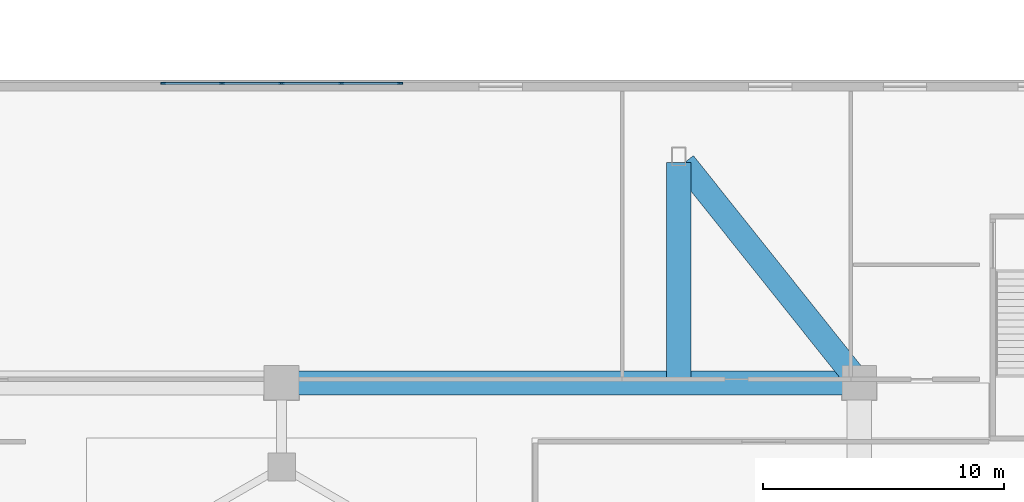
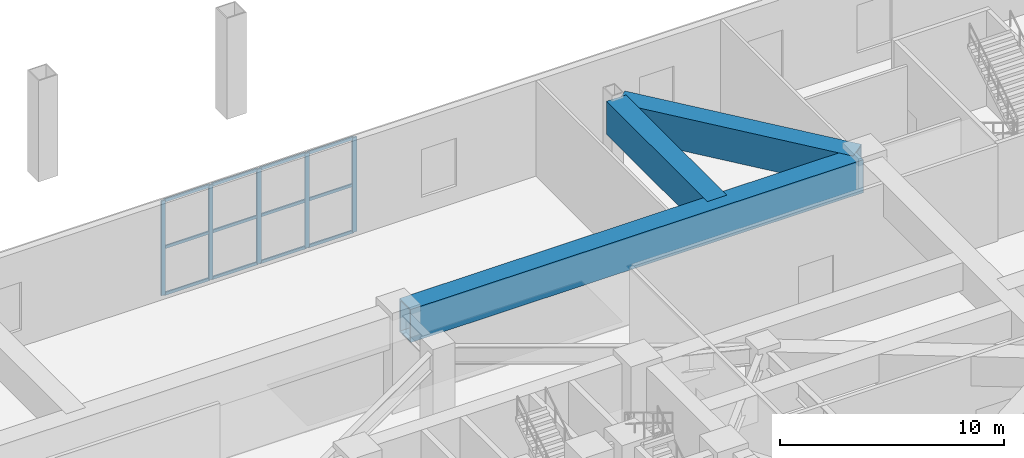
# One storey, part 7 of 23: 17 members, 3 beams, 1 element without a shape of its own.
"""IFC4 building model written with IfcOpenShell, lengths in metres."""

from ifc_helpers import new_model, si_unit, direction, frame, origin, origin_2d, place, context, subcontext, project, spatial, rectangle, hollow_rectangle, extrude, material, layer, layer_set, material_profile, profile_set, type_object, element, aggregate, save


model = new_model("IFC4")

# Units and contexts
model_context = context("Model", 3, precision=1e-05, world=origin(), true_north=direction((0.0, 1.0)))
body_context = subcontext(model_context, "Body", "Model", "MODEL_VIEW")
ifc_project = project(units=[si_unit("LENGTHUNIT", "METRE"), si_unit("AREAUNIT", "SQUARE_METRE"), si_unit("VOLUMEUNIT", "CUBIC_METRE"), si_unit("PLANEANGLEUNIT", "RADIAN"), si_unit("MASSUNIT", "GRAM", prefix="KILO")], contexts=[model_context])

# Site, building, storey
site_placement = place(None, origin())
site = spatial("IfcSite", under=ifc_project, at=site_placement, CompositionType="ELEMENT")
building_placement = place(site_placement, origin())
building = spatial("IfcBuilding", under=site, at=building_placement, Name="Apsidion Concourse Tower", CompositionType="ELEMENT")
storey_placement = place(building_placement, frame((0.0, 0.0, 6.0)))
storey = spatial("IfcBuildingStorey", under=building, at=storey_placement, Name="L01", CompositionType="ELEMENT", Elevation=6.0)

# Beams
ifc_material_1 = material(Name="Structural steel ASTM A572 Grade 50", Category="steel")
ifc_material_profile_1 = material_profile(ifc_material_1, hollow_rectangle(XDim=1.0, YDim=1.800048828125, WallThickness=0.080078125, at=origin_2d()), Name="BOX1800X1000X80")
ifc_profile_set_1 = profile_set([ifc_material_profile_1], Name="Structural steel ASTM A572 Grade 50")
beam_type = type_object("IfcBeamType", Name="BM-TR-1800", PredefinedType="USERDEFINED", material=ifc_profile_set_1)
beam_1_placement = place(storey_placement, frame((0.35009765625, 18.0, 4.300048828125), z_axis=(1.0, 0.0, 0.0), x_axis=(0.0, 1.0, 0.0)))
element("IfcBeam", 1, at=beam_1_placement, inside=storey, type_object=beam_type, Name="L01 Podium Transfer Collector Girder MC8-MC6", ObjectType="GIRDER", PredefinedType="USERDEFINED", context=body_context, shape_type="SweptSolid", body=[
    extrude(hollow_rectangle(XDim=1.0, YDim=1.800048828125, WallThickness=0.080078125, at=origin_2d()), origin(), (0.0, 0.0, 1.0), 23.2998046875),
])
beam_2_placement = place(storey_placement, frame((16.5, 27.14990234375, 4.300048828125), z_axis=(0.0, -1.0, 0.0), x_axis=(1.0, 0.0, 0.0)))
element("IfcBeam", 2, at=beam_2_placement, inside=storey, type_object=beam_type, Name="L01 Podium Radial Frame Girder PC12", ObjectType="GIRDER", PredefinedType="USERDEFINED", context=body_context, shape_type="SweptSolid", body=[
    extrude(hollow_rectangle(XDim=1.0, YDim=1.800048828125, WallThickness=0.080078125, at=origin_2d()), origin(), (0.0, 0.0, 1.0), 9.0),
])
beam_3_placement = place(storey_placement, frame((16.71826171875, 27.12646484375, 4.300048828125), z_axis=(0.623685030382, -0.781675753031, 0.0), x_axis=(0.781675753031, 0.623685030382, 0.0)))
element("IfcBeam", 3, at=beam_3_placement, inside=storey, type_object=beam_type, Name="L01 Podium Diagonal Frame Tie PC12", ObjectType="GIRDER", PredefinedType="USERDEFINED", context=body_context, shape_type="SweptSolid", body=[
    extrude(hollow_rectangle(XDim=1.0, YDim=1.800048828125, WallThickness=0.080078125, at=origin_2d()), origin(), (0.0, 0.0, 1.0), 11.325439453125),
])

# Curtain wall, members
ifc_material_2 = material(Name="Insulated laminated low-E glass", Category="glass")
ifc_layer = layer(ifc_material_2, 0.18994140625)
ifc_layer_set = layer_set([ifc_layer], Name="Insulated laminated low-E glass")
curtain_wall_type = type_object("IfcCurtainWallType", Name="CW-SYS-01", PredefinedType="NOTDEFINED", material=ifc_layer_set)
curtain_wall_placement = place(storey_placement, origin())
curtain_wall = element("IfcCurtainWall", 4, at=curtain_wall_placement, inside=storey, type_object=curtain_wall_type, Name="L01 Podium Glazed Curtain Wall N", PredefinedType="NOTDEFINED")
ifc_material_3 = material(Name="Anodised aluminium EN AW-6063 T6", Category="aluminium")
ifc_material_profile_2 = material_profile(ifc_material_3, rectangle(XDim=0.074951171875, YDim=0.219970703125, at=origin_2d()), Name="ALU MULLION 75x220")
ifc_profile_set_2 = profile_set([ifc_material_profile_2], Name="Anodised aluminium EN AW-6063 T6")
member_type_1 = type_object("IfcMemberType", Name="CWM-75X220", PredefinedType="MULLION", material=ifc_profile_set_2)
member_1_placement = place(storey_placement, frame((-4.91845703125, 30.43994140625, 0.0), z_axis=(0.0, 0.0, 1.0), x_axis=(0.0, 1.0, 0.0)))
member_1 = element("IfcMember", 5, at=member_1_placement, type_object=member_type_1, Name="CW-01 mullion 1", PredefinedType="MULLION", context=body_context, shape_type="SweptSolid", body=[
    extrude(rectangle(XDim=0.074951171875, YDim=0.219970703125, at=origin_2d()), origin(), (0.0, 0.0, 1.0), 5.14990234375),
])
member_2_placement = place(storey_placement, frame((-2.47802734375, 30.43994140625, 0.0), z_axis=(0.0, 0.0, 1.0), x_axis=(0.0, 1.0, 0.0)))
member_2 = element("IfcMember", 6, at=member_2_placement, type_object=member_type_1, Name="CW-01 mullion 2", PredefinedType="MULLION", context=body_context, shape_type="SweptSolid", body=[
    extrude(rectangle(XDim=0.074951171875, YDim=0.219970703125, at=origin_2d()), origin(), (0.0, 0.0, 1.0), 5.14990234375),
])
member_3_placement = place(storey_placement, frame((0.0, 30.43994140625, 0.0), z_axis=(0.0, 0.0, 1.0), x_axis=(0.0, 1.0, 0.0)))
member_3 = element("IfcMember", 7, at=member_3_placement, type_object=member_type_1, Name="CW-01 mullion 3", PredefinedType="MULLION", context=body_context, shape_type="SweptSolid", body=[
    extrude(rectangle(XDim=0.074951171875, YDim=0.219970703125, at=origin_2d()), origin(), (0.0, 0.0, 1.0), 5.14990234375),
])
member_4_placement = place(storey_placement, frame((2.47802734375, 30.43994140625, 0.0), z_axis=(0.0, 0.0, 1.0), x_axis=(0.0, 1.0, 0.0)))
member_4 = element("IfcMember", 8, at=member_4_placement, type_object=member_type_1, Name="CW-01 mullion 4", PredefinedType="MULLION", context=body_context, shape_type="SweptSolid", body=[
    extrude(rectangle(XDim=0.074951171875, YDim=0.219970703125, at=origin_2d()), origin(), (0.0, 0.0, 1.0), 5.14990234375),
])
member_5_placement = place(storey_placement, frame((4.91845703125, 30.43994140625, 0.0), z_axis=(0.0, 0.0, 1.0), x_axis=(0.0, 1.0, 0.0)))
member_5 = element("IfcMember", 9, at=member_5_placement, type_object=member_type_1, Name="CW-01 mullion 5", PredefinedType="MULLION", context=body_context, shape_type="SweptSolid", body=[
    extrude(rectangle(XDim=0.074951171875, YDim=0.219970703125, at=origin_2d()), origin(), (0.0, 0.0, 1.0), 5.14990234375),
])
ifc_material_profile_3 = material_profile(ifc_material_3, rectangle(XDim=0.074951171875, YDim=0.159912109375, at=origin_2d()), Name="ALU TRANSOM 75x160")
ifc_profile_set_3 = profile_set([ifc_material_profile_3], Name="Anodised aluminium EN AW-6063 T6")
member_type_2 = type_object("IfcMemberType", Name="CWT-75X160", PredefinedType="USERDEFINED", material=ifc_profile_set_3)
member_6_placement = place(storey_placement, frame((-4.881103515625, 30.43994140625, 0.03759765625), z_axis=(1.0, 0.0, 0.0), x_axis=(0.0, 1.0, 0.0)))
member_6 = element("IfcMember", 10, at=member_6_placement, type_object=member_type_2, Name="CW-01 transom 1.1", ObjectType="TRANSOM", PredefinedType="USERDEFINED", context=body_context, shape_type="SweptSolid", body=[
    extrude(rectangle(XDim=0.074951171875, YDim=0.159912109375, at=origin_2d()), origin(), (0.0, 0.0, 1.0), 2.36572265625),
])
member_7_placement = place(storey_placement, frame((-4.881103515625, 30.43994140625, 2.574951171875), z_axis=(1.0, 0.0, 0.0), x_axis=(0.0, 1.0, 0.0)))
member_7 = element("IfcMember", 11, at=member_7_placement, type_object=member_type_2, Name="CW-01 transom 1.2", ObjectType="TRANSOM", PredefinedType="USERDEFINED", context=body_context, shape_type="SweptSolid", body=[
    extrude(rectangle(XDim=0.074951171875, YDim=0.159912109375, at=origin_2d()), origin(), (0.0, 0.0, 1.0), 2.36572265625),
])
member_8_placement = place(storey_placement, frame((-4.881103515625, 30.43994140625, 5.112548828125), z_axis=(1.0, 0.0, 0.0), x_axis=(0.0, 1.0, 0.0)))
member_8 = element("IfcMember", 12, at=member_8_placement, type_object=member_type_2, Name="CW-01 transom 1.3", ObjectType="TRANSOM", PredefinedType="USERDEFINED", context=body_context, shape_type="SweptSolid", body=[
    extrude(rectangle(XDim=0.074951171875, YDim=0.159912109375, at=origin_2d()), origin(), (0.0, 0.0, 1.0), 2.36572265625),
])
member_9_placement = place(storey_placement, frame((-2.4404296875, 30.43994140625, 0.03759765625), z_axis=(1.0, 0.0, 0.0), x_axis=(0.0, 1.0, 0.0)))
member_9 = element("IfcMember", 13, at=member_9_placement, type_object=member_type_2, Name="CW-01 transom 2.1", ObjectType="TRANSOM", PredefinedType="USERDEFINED", context=body_context, shape_type="SweptSolid", body=[
    extrude(rectangle(XDim=0.074951171875, YDim=0.159912109375, at=origin_2d()), origin(), (0.0, 0.0, 1.0), 2.40283203125),
])
member_10_placement = place(storey_placement, frame((-2.4404296875, 30.43994140625, 2.574951171875), z_axis=(1.0, 0.0, 0.0), x_axis=(0.0, 1.0, 0.0)))
member_10 = element("IfcMember", 14, at=member_10_placement, type_object=member_type_2, Name="CW-01 transom 2.2", ObjectType="TRANSOM", PredefinedType="USERDEFINED", context=body_context, shape_type="SweptSolid", body=[
    extrude(rectangle(XDim=0.074951171875, YDim=0.159912109375, at=origin_2d()), origin(), (0.0, 0.0, 1.0), 2.40283203125),
])
member_11_placement = place(storey_placement, frame((-2.4404296875, 30.43994140625, 5.112548828125), z_axis=(1.0, 0.0, 0.0), x_axis=(0.0, 1.0, 0.0)))
member_11 = element("IfcMember", 15, at=member_11_placement, type_object=member_type_2, Name="CW-01 transom 2.3", ObjectType="TRANSOM", PredefinedType="USERDEFINED", context=body_context, shape_type="SweptSolid", body=[
    extrude(rectangle(XDim=0.074951171875, YDim=0.159912109375, at=origin_2d()), origin(), (0.0, 0.0, 1.0), 2.40283203125),
])
member_12_placement = place(storey_placement, frame((0.03759765625, 30.43994140625, 0.03759765625), z_axis=(1.0, 0.0, 0.0), x_axis=(0.0, 1.0, 0.0)))
member_12 = element("IfcMember", 16, at=member_12_placement, type_object=member_type_2, Name="CW-01 transom 3.1", ObjectType="TRANSOM", PredefinedType="USERDEFINED", context=body_context, shape_type="SweptSolid", body=[
    extrude(rectangle(XDim=0.074951171875, YDim=0.159912109375, at=origin_2d()), origin(), (0.0, 0.0, 1.0), 2.40283203125),
])
member_13_placement = place(storey_placement, frame((0.03759765625, 30.43994140625, 2.574951171875), z_axis=(1.0, 0.0, 0.0), x_axis=(0.0, 1.0, 0.0)))
member_13 = element("IfcMember", 17, at=member_13_placement, type_object=member_type_2, Name="CW-01 transom 3.2", ObjectType="TRANSOM", PredefinedType="USERDEFINED", context=body_context, shape_type="SweptSolid", body=[
    extrude(rectangle(XDim=0.074951171875, YDim=0.159912109375, at=origin_2d()), origin(), (0.0, 0.0, 1.0), 2.40283203125),
])
member_14_placement = place(storey_placement, frame((0.03759765625, 30.43994140625, 5.112548828125), z_axis=(1.0, 0.0, 0.0), x_axis=(0.0, 1.0, 0.0)))
member_14 = element("IfcMember", 18, at=member_14_placement, type_object=member_type_2, Name="CW-01 transom 3.3", ObjectType="TRANSOM", PredefinedType="USERDEFINED", context=body_context, shape_type="SweptSolid", body=[
    extrude(rectangle(XDim=0.074951171875, YDim=0.159912109375, at=origin_2d()), origin(), (0.0, 0.0, 1.0), 2.40283203125),
])
member_15_placement = place(storey_placement, frame((2.515380859375, 30.43994140625, 0.03759765625), z_axis=(1.0, 0.0, 0.0), x_axis=(0.0, 1.0, 0.0)))
member_15 = element("IfcMember", 19, at=member_15_placement, type_object=member_type_2, Name="CW-01 transom 4.1", ObjectType="TRANSOM", PredefinedType="USERDEFINED", context=body_context, shape_type="SweptSolid", body=[
    extrude(rectangle(XDim=0.074951171875, YDim=0.159912109375, at=origin_2d()), origin(), (0.0, 0.0, 1.0), 2.36572265625),
])
member_16_placement = place(storey_placement, frame((2.515380859375, 30.43994140625, 2.574951171875), z_axis=(1.0, 0.0, 0.0), x_axis=(0.0, 1.0, 0.0)))
member_16 = element("IfcMember", 20, at=member_16_placement, type_object=member_type_2, Name="CW-01 transom 4.2", ObjectType="TRANSOM", PredefinedType="USERDEFINED", context=body_context, shape_type="SweptSolid", body=[
    extrude(rectangle(XDim=0.074951171875, YDim=0.159912109375, at=origin_2d()), origin(), (0.0, 0.0, 1.0), 2.36572265625),
])
member_17_placement = place(storey_placement, frame((2.515380859375, 30.43994140625, 5.112548828125), z_axis=(1.0, 0.0, 0.0), x_axis=(0.0, 1.0, 0.0)))
member_17 = element("IfcMember", 21, at=member_17_placement, type_object=member_type_2, Name="CW-01 transom 4.3", ObjectType="TRANSOM", PredefinedType="USERDEFINED", context=body_context, shape_type="SweptSolid", body=[
    extrude(rectangle(XDim=0.074951171875, YDim=0.159912109375, at=origin_2d()), origin(), (0.0, 0.0, 1.0), 2.36572265625),
])
aggregate(curtain_wall, [member_1, member_2, member_3, member_4, member_5, member_6, member_7, member_8, member_9, member_10, member_11, member_12, member_13, member_14, member_15, member_16, member_17])

save(model, "model.ifc")
